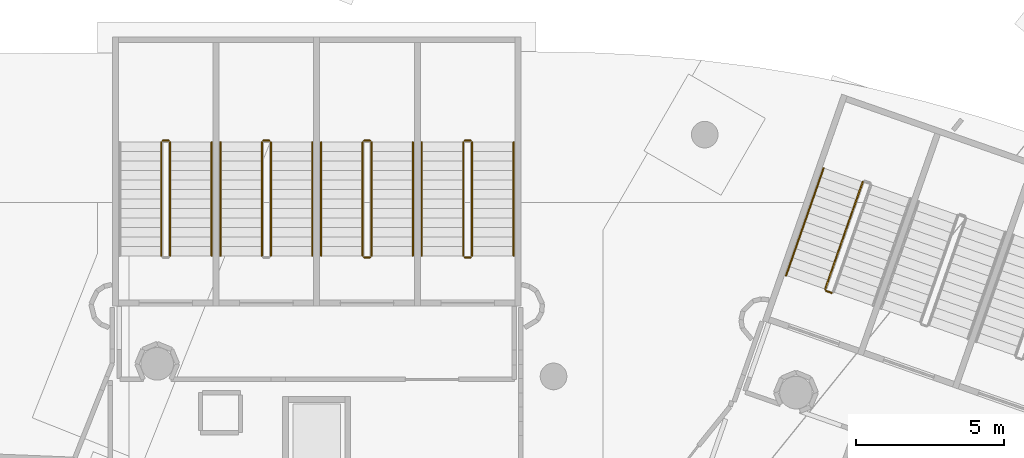
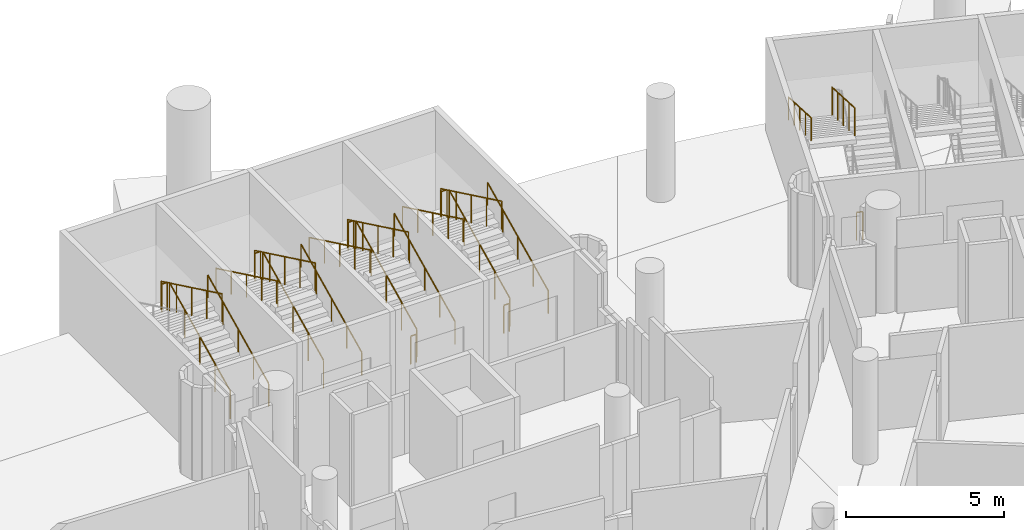
# One storey, part 139 of 142: 24 railings.
"""IFC4 building model written with IfcOpenShell, lengths in metres."""

from ifc_helpers import new_model, si_unit, direction, frame, origin, origin_2d, place, context, subcontext, project, spatial, circle, extrude, material, type_object, element, save


model = new_model("IFC4")

# Units and contexts
model_context = context("Model", 3, precision=1e-05, world=origin(), true_north=direction((0.0, 1.0)))
body_context = subcontext(model_context, "Body", "Model", "MODEL_VIEW")
ifc_project = project(units=[si_unit("LENGTHUNIT", "METRE"), si_unit("AREAUNIT", "SQUARE_METRE"), si_unit("VOLUMEUNIT", "CUBIC_METRE"), si_unit("PLANEANGLEUNIT", "RADIAN"), si_unit("MASSUNIT", "GRAM", prefix="KILO")], contexts=[model_context])

# Site, building, storey
site_placement = place(None, origin())
site = spatial("IfcSite", under=ifc_project, at=site_placement, CompositionType="ELEMENT")
building_placement = place(site_placement, origin())
building = spatial("IfcBuilding", under=site, at=building_placement, Name="Meseta Stadium", CompositionType="ELEMENT")
storey_placement = place(building_placement, frame((0.0, 0.0, -4.0)))
storey = spatial("IfcBuildingStorey", under=building, at=storey_placement, Name="B1", CompositionType="ELEMENT", Elevation=-4.0)

# Railings
ifc_material_1 = material(Name="Steel S355", Category="steel")
railing_type_1 = type_object("IfcRailingType", Name="Stair guard 1100", PredefinedType="GUARDRAIL", material=ifc_material_1)
railing_1_placement = place(storey_placement, frame((56.779052734375, 96.70068359375, 2.15380859375)))
element("IfcRailing", 1, at=railing_1_placement, inside=storey, type_object=railing_type_1, Name="ST32 B1 guard 3", PredefinedType="GUARDRAIL", context=body_context, shape_type="SweptSolid", body=[
    extrude(circle(Radius=0.02392578125, at=origin_2d()), frame((0.0, 0.0, 1.076171875), z_axis=(-0.29767201574, -0.85067155836, 0.433300439467), x_axis=(0.9438801606, -0.330288120323, 0.0)), (0.0, 0.0, 1.0), 4.2607421875),
    extrude(circle(Radius=0.02099609375, at=origin_2d()), origin(), (0.0, 0.0, 1.0), 1.052001953125),
    extrude(circle(Radius=0.02099609375, at=origin_2d()), frame((-0.317138671875, -0.90625, 0.46142578125)), (0.0, 0.0, 1.0), 1.052001953125),
    extrude(circle(Radius=0.02099609375, at=origin_2d()), frame((-0.63427734375, -1.812255859375, 0.923095703125)), (0.0, 0.0, 1.0), 1.052001953125),
    extrude(circle(Radius=0.02099609375, at=origin_2d()), frame((-0.951171875, -2.71826171875, 1.384765625)), (0.0, 0.0, 1.0), 1.052001953125),
    extrude(circle(Radius=0.02099609375, at=origin_2d()), frame((-1.268310546875, -3.62451171875, 1.84619140625)), (0.0, 0.0, 1.0), 1.052001953125),
])
railing_2_placement = place(storey_placement, frame((55.730224609375, 92.9462890625, 0.0)))
element("IfcRailing", 2, at=railing_2_placement, inside=storey, type_object=railing_type_1, Name="ST32 B1 guard 4", PredefinedType="GUARDRAIL", context=body_context, shape_type="SweptSolid", body=[
    extrude(circle(Radius=0.02392578125, at=origin_2d()), frame((0.0, 0.0, 1.076171875), z_axis=(-0.943686935281, 0.330839792317, 0.0), x_axis=(-0.330839792317, -0.943686935281, 0.0)), (0.0, 0.0, 1.0), 0.199951171875),
    extrude(circle(Radius=0.02099609375, at=origin_2d()), origin(), (0.0, 0.0, 1.0), 1.052001953125),
    extrude(circle(Radius=0.02099609375, at=origin_2d()), frame((-0.188720703125, 0.066162109375, 0.0)), (0.0, 0.0, 1.0), 1.052001953125),
])
railing_3_placement = place(storey_placement, frame((43.583251953125, 94.199951171875, 0.15380859375)))
element("IfcRailing", 3, at=railing_3_placement, inside=storey, type_object=railing_type_1, Name="ST33 B1 guard 1", PredefinedType="GUARDRAIL", context=body_context, shape_type="SweptSolid", body=[
    extrude(circle(Radius=0.02392578125, at=origin_2d()), frame((0.0, 0.0, 1.076171875), z_axis=(0.0, 0.901252854825, 0.433293539843), x_axis=(-1.0, 0.0, 0.0)), (0.0, 0.0, 1.0), 4.2607421875),
    extrude(circle(Radius=0.02099609375, at=origin_2d()), origin(), (0.0, 0.0, 1.0), 1.052001953125),
    extrude(circle(Radius=0.02099609375, at=origin_2d()), frame((0.0, 0.9599609375, 0.46142578125)), (0.0, 0.0, 1.0), 1.052001953125),
    extrude(circle(Radius=0.02099609375, at=origin_2d()), frame((0.0, 1.919921875, 0.923095703125)), (0.0, 0.0, 1.0), 1.052001953125),
    extrude(circle(Radius=0.02099609375, at=origin_2d()), frame((0.0, 2.880126953125, 1.384765625)), (0.0, 0.0, 1.0), 1.052001953125),
    extrude(circle(Radius=0.02099609375, at=origin_2d()), frame((0.0, 3.840087890625, 1.84619140625)), (0.0, 0.0, 1.0), 1.052001953125),
])
railing_4_placement = place(storey_placement, frame((43.533447265625, 98.090087890625, 2.0)))
element("IfcRailing", 4, at=railing_4_placement, inside=storey, type_object=railing_type_1, Name="ST33 B1 guard 2", PredefinedType="GUARDRAIL", context=body_context, shape_type="SweptSolid", body=[
    extrude(circle(Radius=0.02392578125, at=origin_2d()), frame((0.0, 0.0, 1.076171875), z_axis=(-1.0, 0.0, 0.0), x_axis=(0.0, -1.0, 0.0)), (0.0, 0.0, 1.0), 0.2001953125),
    extrude(circle(Radius=0.02099609375, at=origin_2d()), origin(), (0.0, 0.0, 1.0), 1.052001953125),
    extrude(circle(Radius=0.02099609375, at=origin_2d()), frame((-0.2001953125, 0.0, 0.0)), (0.0, 0.0, 1.0), 1.052001953125),
])
railing_5_placement = place(storey_placement, frame((43.283447265625, 98.0400390625, 2.15380859375)))
element("IfcRailing", 5, at=railing_5_placement, inside=storey, type_object=railing_type_1, Name="ST33 B1 guard 3", PredefinedType="GUARDRAIL", context=body_context, shape_type="SweptSolid", body=[
    extrude(circle(Radius=0.02392578125, at=origin_2d()), frame((0.0, 0.0, 1.076171875), z_axis=(0.0, -0.901252854825, 0.433293539843), x_axis=(1.0, 0.0, 0.0)), (0.0, 0.0, 1.0), 4.2607421875),
    extrude(circle(Radius=0.02099609375, at=origin_2d()), origin(), (0.0, 0.0, 1.0), 1.052001953125),
    extrude(circle(Radius=0.02099609375, at=origin_2d()), frame((0.0, -0.9599609375, 0.46142578125)), (0.0, 0.0, 1.0), 1.052001953125),
    extrude(circle(Radius=0.02099609375, at=origin_2d()), frame((0.0, -1.919921875, 0.923095703125)), (0.0, 0.0, 1.0), 1.052001953125),
    extrude(circle(Radius=0.02099609375, at=origin_2d()), frame((0.0, -2.880126953125, 1.384765625)), (0.0, 0.0, 1.0), 1.052001953125),
    extrude(circle(Radius=0.02099609375, at=origin_2d()), frame((0.0, -3.840087890625, 1.84619140625)), (0.0, 0.0, 1.0), 1.052001953125),
])
railing_6_placement = place(storey_placement, frame((43.533447265625, 94.14990234375, 0.0)))
element("IfcRailing", 6, at=railing_6_placement, inside=storey, type_object=railing_type_1, Name="ST33 B1 guard 4", PredefinedType="GUARDRAIL", context=body_context, shape_type="SweptSolid", body=[
    extrude(circle(Radius=0.02392578125, at=origin_2d()), frame((0.0, 0.0, 1.076171875), z_axis=(-1.0, 0.0, 0.0), x_axis=(0.0, -1.0, 0.0)), (0.0, 0.0, 1.0), 0.2001953125),
    extrude(circle(Radius=0.02099609375, at=origin_2d()), origin(), (0.0, 0.0, 1.0), 1.052001953125),
    extrude(circle(Radius=0.02099609375, at=origin_2d()), frame((-0.2001953125, 0.0, 0.0)), (0.0, 0.0, 1.0), 1.052001953125),
])
railing_7_placement = place(storey_placement, frame((40.183349609375, 94.199951171875, 0.15380859375)))
element("IfcRailing", 7, at=railing_7_placement, inside=storey, type_object=railing_type_1, Name="ST34 B1 guard 1", PredefinedType="GUARDRAIL", context=body_context, shape_type="SweptSolid", body=[
    extrude(circle(Radius=0.02392578125, at=origin_2d()), frame((0.0, 0.0, 1.076171875), z_axis=(0.0, 0.901252854825, 0.433293539843), x_axis=(-1.0, 0.0, 0.0)), (0.0, 0.0, 1.0), 4.2607421875),
    extrude(circle(Radius=0.02099609375, at=origin_2d()), origin(), (0.0, 0.0, 1.0), 1.052001953125),
    extrude(circle(Radius=0.02099609375, at=origin_2d()), frame((0.0, 0.9599609375, 0.46142578125)), (0.0, 0.0, 1.0), 1.052001953125),
    extrude(circle(Radius=0.02099609375, at=origin_2d()), frame((0.0, 1.919921875, 0.923095703125)), (0.0, 0.0, 1.0), 1.052001953125),
    extrude(circle(Radius=0.02099609375, at=origin_2d()), frame((0.0, 2.880126953125, 1.384765625)), (0.0, 0.0, 1.0), 1.052001953125),
    extrude(circle(Radius=0.02099609375, at=origin_2d()), frame((0.0, 3.840087890625, 1.84619140625)), (0.0, 0.0, 1.0), 1.052001953125),
])
railing_8_placement = place(storey_placement, frame((40.13330078125, 98.090087890625, 2.0)))
element("IfcRailing", 8, at=railing_8_placement, inside=storey, type_object=railing_type_1, Name="ST34 B1 guard 2", PredefinedType="GUARDRAIL", context=body_context, shape_type="SweptSolid", body=[
    extrude(circle(Radius=0.02392578125, at=origin_2d()), frame((0.0, 0.0, 1.076171875), z_axis=(-1.0, 0.0, 0.0), x_axis=(0.0, -1.0, 0.0)), (0.0, 0.0, 1.0), 0.199951171875),
    extrude(circle(Radius=0.02099609375, at=origin_2d()), origin(), (0.0, 0.0, 1.0), 1.052001953125),
    extrude(circle(Radius=0.02099609375, at=origin_2d()), frame((-0.199951171875, 0.0, 0.0)), (0.0, 0.0, 1.0), 1.052001953125),
])
railing_9_placement = place(storey_placement, frame((39.88330078125, 98.0400390625, 2.15380859375)))
element("IfcRailing", 9, at=railing_9_placement, inside=storey, type_object=railing_type_1, Name="ST34 B1 guard 3", PredefinedType="GUARDRAIL", context=body_context, shape_type="SweptSolid", body=[
    extrude(circle(Radius=0.02392578125, at=origin_2d()), frame((0.0, 0.0, 1.076171875), z_axis=(0.0, -0.901252854825, 0.433293539843), x_axis=(1.0, 0.0, 0.0)), (0.0, 0.0, 1.0), 4.2607421875),
    extrude(circle(Radius=0.02099609375, at=origin_2d()), origin(), (0.0, 0.0, 1.0), 1.052001953125),
    extrude(circle(Radius=0.02099609375, at=origin_2d()), frame((0.0, -0.9599609375, 0.46142578125)), (0.0, 0.0, 1.0), 1.052001953125),
    extrude(circle(Radius=0.02099609375, at=origin_2d()), frame((0.0, -1.919921875, 0.923095703125)), (0.0, 0.0, 1.0), 1.052001953125),
    extrude(circle(Radius=0.02099609375, at=origin_2d()), frame((0.0, -2.880126953125, 1.384765625)), (0.0, 0.0, 1.0), 1.052001953125),
    extrude(circle(Radius=0.02099609375, at=origin_2d()), frame((0.0, -3.840087890625, 1.84619140625)), (0.0, 0.0, 1.0), 1.052001953125),
])
railing_10_placement = place(storey_placement, frame((40.13330078125, 94.14990234375, 0.0)))
element("IfcRailing", 10, at=railing_10_placement, inside=storey, type_object=railing_type_1, Name="ST34 B1 guard 4", PredefinedType="GUARDRAIL", context=body_context, shape_type="SweptSolid", body=[
    extrude(circle(Radius=0.02392578125, at=origin_2d()), frame((0.0, 0.0, 1.076171875), z_axis=(-1.0, 0.0, 0.0), x_axis=(0.0, -1.0, 0.0)), (0.0, 0.0, 1.0), 0.199951171875),
    extrude(circle(Radius=0.02099609375, at=origin_2d()), origin(), (0.0, 0.0, 1.0), 1.052001953125),
    extrude(circle(Radius=0.02099609375, at=origin_2d()), frame((-0.199951171875, 0.0, 0.0)), (0.0, 0.0, 1.0), 1.052001953125),
])
railing_11_placement = place(storey_placement, frame((36.783447265625, 94.199951171875, 0.15380859375)))
element("IfcRailing", 11, at=railing_11_placement, inside=storey, type_object=railing_type_1, Name="ST35 B1 guard 1", PredefinedType="GUARDRAIL", context=body_context, shape_type="SweptSolid", body=[
    extrude(circle(Radius=0.02392578125, at=origin_2d()), frame((0.0, 0.0, 1.076171875), z_axis=(0.0, 0.901252854825, 0.433293539843), x_axis=(-1.0, 0.0, 0.0)), (0.0, 0.0, 1.0), 4.2607421875),
    extrude(circle(Radius=0.02099609375, at=origin_2d()), origin(), (0.0, 0.0, 1.0), 1.052001953125),
    extrude(circle(Radius=0.02099609375, at=origin_2d()), frame((0.0, 0.9599609375, 0.46142578125)), (0.0, 0.0, 1.0), 1.052001953125),
    extrude(circle(Radius=0.02099609375, at=origin_2d()), frame((0.0, 1.919921875, 0.923095703125)), (0.0, 0.0, 1.0), 1.052001953125),
    extrude(circle(Radius=0.02099609375, at=origin_2d()), frame((0.0, 2.880126953125, 1.384765625)), (0.0, 0.0, 1.0), 1.052001953125),
    extrude(circle(Radius=0.02099609375, at=origin_2d()), frame((0.0, 3.840087890625, 1.84619140625)), (0.0, 0.0, 1.0), 1.052001953125),
])
railing_12_placement = place(storey_placement, frame((36.7333984375, 98.090087890625, 2.0)))
element("IfcRailing", 12, at=railing_12_placement, inside=storey, type_object=railing_type_1, Name="ST35 B1 guard 2", PredefinedType="GUARDRAIL", context=body_context, shape_type="SweptSolid", body=[
    extrude(circle(Radius=0.02392578125, at=origin_2d()), frame((0.0, 0.0, 1.076171875), z_axis=(-1.0, 0.0, 0.0), x_axis=(0.0, -1.0, 0.0)), (0.0, 0.0, 1.0), 0.199951171875),
    extrude(circle(Radius=0.02099609375, at=origin_2d()), origin(), (0.0, 0.0, 1.0), 1.052001953125),
    extrude(circle(Radius=0.02099609375, at=origin_2d()), frame((-0.199951171875, 0.0, 0.0)), (0.0, 0.0, 1.0), 1.052001953125),
])
railing_13_placement = place(storey_placement, frame((36.4833984375, 98.0400390625, 2.15380859375)))
element("IfcRailing", 13, at=railing_13_placement, inside=storey, type_object=railing_type_1, Name="ST35 B1 guard 3", PredefinedType="GUARDRAIL", context=body_context, shape_type="SweptSolid", body=[
    extrude(circle(Radius=0.02392578125, at=origin_2d()), frame((0.0, 0.0, 1.076171875), z_axis=(0.0, -0.901252854825, 0.433293539843), x_axis=(1.0, 0.0, 0.0)), (0.0, 0.0, 1.0), 4.2607421875),
    extrude(circle(Radius=0.02099609375, at=origin_2d()), origin(), (0.0, 0.0, 1.0), 1.052001953125),
    extrude(circle(Radius=0.02099609375, at=origin_2d()), frame((0.0, -0.9599609375, 0.46142578125)), (0.0, 0.0, 1.0), 1.052001953125),
    extrude(circle(Radius=0.02099609375, at=origin_2d()), frame((0.0, -1.919921875, 0.923095703125)), (0.0, 0.0, 1.0), 1.052001953125),
    extrude(circle(Radius=0.02099609375, at=origin_2d()), frame((0.0, -2.880126953125, 1.384765625)), (0.0, 0.0, 1.0), 1.052001953125),
    extrude(circle(Radius=0.02099609375, at=origin_2d()), frame((0.0, -3.840087890625, 1.84619140625)), (0.0, 0.0, 1.0), 1.052001953125),
])
railing_14_placement = place(storey_placement, frame((33.38330078125, 94.199951171875, 0.15380859375)))
element("IfcRailing", 14, at=railing_14_placement, inside=storey, type_object=railing_type_1, Name="ST36 B1 guard 1", PredefinedType="GUARDRAIL", context=body_context, shape_type="SweptSolid", body=[
    extrude(circle(Radius=0.02392578125, at=origin_2d()), frame((0.0, 0.0, 1.076171875), z_axis=(0.0, 0.901252854825, 0.433293539843), x_axis=(-1.0, 0.0, 0.0)), (0.0, 0.0, 1.0), 4.2607421875),
    extrude(circle(Radius=0.02099609375, at=origin_2d()), origin(), (0.0, 0.0, 1.0), 1.052001953125),
    extrude(circle(Radius=0.02099609375, at=origin_2d()), frame((0.0, 0.9599609375, 0.46142578125)), (0.0, 0.0, 1.0), 1.052001953125),
    extrude(circle(Radius=0.02099609375, at=origin_2d()), frame((0.0, 1.919921875, 0.923095703125)), (0.0, 0.0, 1.0), 1.052001953125),
    extrude(circle(Radius=0.02099609375, at=origin_2d()), frame((0.0, 2.880126953125, 1.384765625)), (0.0, 0.0, 1.0), 1.052001953125),
    extrude(circle(Radius=0.02099609375, at=origin_2d()), frame((0.0, 3.840087890625, 1.84619140625)), (0.0, 0.0, 1.0), 1.052001953125),
])
railing_15_placement = place(storey_placement, frame((33.333251953125, 98.090087890625, 2.0)))
element("IfcRailing", 15, at=railing_15_placement, inside=storey, type_object=railing_type_1, Name="ST36 B1 guard 2", PredefinedType="GUARDRAIL", context=body_context, shape_type="SweptSolid", body=[
    extrude(circle(Radius=0.02392578125, at=origin_2d()), frame((0.0, 0.0, 1.076171875), z_axis=(-1.0, 0.0, 0.0), x_axis=(0.0, -1.0, 0.0)), (0.0, 0.0, 1.0), 0.199951171875),
    extrude(circle(Radius=0.02099609375, at=origin_2d()), origin(), (0.0, 0.0, 1.0), 1.052001953125),
    extrude(circle(Radius=0.02099609375, at=origin_2d()), frame((-0.199951171875, 0.0, 0.0)), (0.0, 0.0, 1.0), 1.052001953125),
])
railing_16_placement = place(storey_placement, frame((33.083251953125, 98.0400390625, 2.15380859375)))
element("IfcRailing", 16, at=railing_16_placement, inside=storey, type_object=railing_type_1, Name="ST36 B1 guard 3", PredefinedType="GUARDRAIL", context=body_context, shape_type="SweptSolid", body=[
    extrude(circle(Radius=0.02392578125, at=origin_2d()), frame((0.0, 0.0, 1.076171875), z_axis=(0.0, -0.901252854825, 0.433293539843), x_axis=(1.0, 0.0, 0.0)), (0.0, 0.0, 1.0), 4.2607421875),
    extrude(circle(Radius=0.02099609375, at=origin_2d()), origin(), (0.0, 0.0, 1.0), 1.052001953125),
    extrude(circle(Radius=0.02099609375, at=origin_2d()), frame((0.0, -0.9599609375, 0.46142578125)), (0.0, 0.0, 1.0), 1.052001953125),
    extrude(circle(Radius=0.02099609375, at=origin_2d()), frame((0.0, -1.919921875, 0.923095703125)), (0.0, 0.0, 1.0), 1.052001953125),
    extrude(circle(Radius=0.02099609375, at=origin_2d()), frame((0.0, -2.880126953125, 1.384765625)), (0.0, 0.0, 1.0), 1.052001953125),
    extrude(circle(Radius=0.02099609375, at=origin_2d()), frame((0.0, -3.840087890625, 1.84619140625)), (0.0, 0.0, 1.0), 1.052001953125),
])
ifc_material_2 = material(Name="Steel S355", Category="steel")
railing_type_2 = type_object("IfcRailingType", Name="Stair handrail 900", PredefinedType="HANDRAIL", material=ifc_material_2)
railing_17_placement = place(storey_placement, frame((55.457763671875, 97.162841796875, 2.15380859375)))
element("IfcRailing", 17, at=railing_17_placement, inside=storey, type_object=railing_type_2, Name="ST32 B1 handrail 2", PredefinedType="HANDRAIL", context=body_context, shape_type="SweptSolid", body=[
    extrude(circle(Radius=0.02392578125, at=origin_2d()), frame((0.0, 0.0, 0.8759765625), z_axis=(-0.29767201574, -0.85067155836, 0.433300439467), x_axis=(0.9438801606, -0.330288120323, 0.0)), (0.0, 0.0, 1.0), 4.2607421875),
    extrude(circle(Radius=0.02099609375, at=origin_2d()), origin(), (0.0, 0.0, 1.0), 0.851806640625),
    extrude(circle(Radius=0.02099609375, at=origin_2d()), frame((-0.317138671875, -0.90625, 0.46142578125)), (0.0, 0.0, 1.0), 0.851806640625),
    extrude(circle(Radius=0.02099609375, at=origin_2d()), frame((-0.63427734375, -1.812255859375, 0.923095703125)), (0.0, 0.0, 1.0), 0.851806640625),
    extrude(circle(Radius=0.02099609375, at=origin_2d()), frame((-0.951171875, -2.71826171875, 1.384765625)), (0.0, 0.0, 1.0), 0.851806640625),
    extrude(circle(Radius=0.02099609375, at=origin_2d()), frame((-1.268310546875, -3.62451171875, 1.84619140625)), (0.0, 0.0, 1.0), 0.851806640625),
])
railing_18_placement = place(storey_placement, frame((44.9833984375, 94.199951171875, 0.15380859375)))
element("IfcRailing", 18, at=railing_18_placement, inside=storey, type_object=railing_type_2, Name="ST33 B1 handrail 1", PredefinedType="HANDRAIL", context=body_context, shape_type="SweptSolid", body=[
    extrude(circle(Radius=0.02392578125, at=origin_2d()), frame((0.0, 0.0, 0.8759765625), z_axis=(0.0, 0.901252854825, 0.433293539843), x_axis=(-1.0, 0.0, 0.0)), (0.0, 0.0, 1.0), 4.2607421875),
    extrude(circle(Radius=0.02099609375, at=origin_2d()), origin(), (0.0, 0.0, 1.0), 0.851806640625),
    extrude(circle(Radius=0.02099609375, at=origin_2d()), frame((0.0, 0.9599609375, 0.46142578125)), (0.0, 0.0, 1.0), 0.851806640625),
    extrude(circle(Radius=0.02099609375, at=origin_2d()), frame((0.0, 1.919921875, 0.923095703125)), (0.0, 0.0, 1.0), 0.851806640625),
    extrude(circle(Radius=0.02099609375, at=origin_2d()), frame((0.0, 2.880126953125, 1.384765625)), (0.0, 0.0, 1.0), 0.851806640625),
    extrude(circle(Radius=0.02099609375, at=origin_2d()), frame((0.0, 3.840087890625, 1.84619140625)), (0.0, 0.0, 1.0), 0.851806640625),
])
railing_19_placement = place(storey_placement, frame((41.88330078125, 98.0400390625, 2.15380859375)))
element("IfcRailing", 19, at=railing_19_placement, inside=storey, type_object=railing_type_2, Name="ST33 B1 handrail 2", PredefinedType="HANDRAIL", context=body_context, shape_type="SweptSolid", body=[
    extrude(circle(Radius=0.02392578125, at=origin_2d()), frame((0.0, 0.0, 0.8759765625), z_axis=(0.0, -0.901252854825, 0.433293539843), x_axis=(1.0, 0.0, 0.0)), (0.0, 0.0, 1.0), 4.2607421875),
    extrude(circle(Radius=0.02099609375, at=origin_2d()), origin(), (0.0, 0.0, 1.0), 0.851806640625),
    extrude(circle(Radius=0.02099609375, at=origin_2d()), frame((0.0, -0.9599609375, 0.46142578125)), (0.0, 0.0, 1.0), 0.851806640625),
    extrude(circle(Radius=0.02099609375, at=origin_2d()), frame((0.0, -1.919921875, 0.923095703125)), (0.0, 0.0, 1.0), 0.851806640625),
    extrude(circle(Radius=0.02099609375, at=origin_2d()), frame((0.0, -2.880126953125, 1.384765625)), (0.0, 0.0, 1.0), 0.851806640625),
    extrude(circle(Radius=0.02099609375, at=origin_2d()), frame((0.0, -3.840087890625, 1.84619140625)), (0.0, 0.0, 1.0), 0.851806640625),
])
railing_20_placement = place(storey_placement, frame((41.583251953125, 94.199951171875, 0.15380859375)))
element("IfcRailing", 20, at=railing_20_placement, inside=storey, type_object=railing_type_2, Name="ST34 B1 handrail 1", PredefinedType="HANDRAIL", context=body_context, shape_type="SweptSolid", body=[
    extrude(circle(Radius=0.02392578125, at=origin_2d()), frame((0.0, 0.0, 0.8759765625), z_axis=(0.0, 0.901252854825, 0.433293539843), x_axis=(-1.0, 0.0, 0.0)), (0.0, 0.0, 1.0), 4.2607421875),
    extrude(circle(Radius=0.02099609375, at=origin_2d()), origin(), (0.0, 0.0, 1.0), 0.851806640625),
    extrude(circle(Radius=0.02099609375, at=origin_2d()), frame((0.0, 0.9599609375, 0.46142578125)), (0.0, 0.0, 1.0), 0.851806640625),
    extrude(circle(Radius=0.02099609375, at=origin_2d()), frame((0.0, 1.919921875, 0.923095703125)), (0.0, 0.0, 1.0), 0.851806640625),
    extrude(circle(Radius=0.02099609375, at=origin_2d()), frame((0.0, 2.880126953125, 1.384765625)), (0.0, 0.0, 1.0), 0.851806640625),
    extrude(circle(Radius=0.02099609375, at=origin_2d()), frame((0.0, 3.840087890625, 1.84619140625)), (0.0, 0.0, 1.0), 0.851806640625),
])
railing_21_placement = place(storey_placement, frame((38.4833984375, 98.0400390625, 2.15380859375)))
element("IfcRailing", 21, at=railing_21_placement, inside=storey, type_object=railing_type_2, Name="ST34 B1 handrail 2", PredefinedType="HANDRAIL", context=body_context, shape_type="SweptSolid", body=[
    extrude(circle(Radius=0.02392578125, at=origin_2d()), frame((0.0, 0.0, 0.8759765625), z_axis=(0.0, -0.901252854825, 0.433293539843), x_axis=(1.0, 0.0, 0.0)), (0.0, 0.0, 1.0), 4.2607421875),
    extrude(circle(Radius=0.02099609375, at=origin_2d()), origin(), (0.0, 0.0, 1.0), 0.851806640625),
    extrude(circle(Radius=0.02099609375, at=origin_2d()), frame((0.0, -0.9599609375, 0.46142578125)), (0.0, 0.0, 1.0), 0.851806640625),
    extrude(circle(Radius=0.02099609375, at=origin_2d()), frame((0.0, -1.919921875, 0.923095703125)), (0.0, 0.0, 1.0), 0.851806640625),
    extrude(circle(Radius=0.02099609375, at=origin_2d()), frame((0.0, -2.880126953125, 1.384765625)), (0.0, 0.0, 1.0), 0.851806640625),
    extrude(circle(Radius=0.02099609375, at=origin_2d()), frame((0.0, -3.840087890625, 1.84619140625)), (0.0, 0.0, 1.0), 0.851806640625),
])
railing_22_placement = place(storey_placement, frame((38.183349609375, 94.199951171875, 0.15380859375)))
element("IfcRailing", 22, at=railing_22_placement, inside=storey, type_object=railing_type_2, Name="ST35 B1 handrail 1", PredefinedType="HANDRAIL", context=body_context, shape_type="SweptSolid", body=[
    extrude(circle(Radius=0.02392578125, at=origin_2d()), frame((0.0, 0.0, 0.8759765625), z_axis=(0.0, 0.901252854825, 0.433293539843), x_axis=(-1.0, 0.0, 0.0)), (0.0, 0.0, 1.0), 4.2607421875),
    extrude(circle(Radius=0.02099609375, at=origin_2d()), origin(), (0.0, 0.0, 1.0), 0.851806640625),
    extrude(circle(Radius=0.02099609375, at=origin_2d()), frame((0.0, 0.9599609375, 0.46142578125)), (0.0, 0.0, 1.0), 0.851806640625),
    extrude(circle(Radius=0.02099609375, at=origin_2d()), frame((0.0, 1.919921875, 0.923095703125)), (0.0, 0.0, 1.0), 0.851806640625),
    extrude(circle(Radius=0.02099609375, at=origin_2d()), frame((0.0, 2.880126953125, 1.384765625)), (0.0, 0.0, 1.0), 0.851806640625),
    extrude(circle(Radius=0.02099609375, at=origin_2d()), frame((0.0, 3.840087890625, 1.84619140625)), (0.0, 0.0, 1.0), 0.851806640625),
])
railing_23_placement = place(storey_placement, frame((35.083251953125, 98.0400390625, 2.15380859375)))
element("IfcRailing", 23, at=railing_23_placement, inside=storey, type_object=railing_type_2, Name="ST35 B1 handrail 2", PredefinedType="HANDRAIL", context=body_context, shape_type="SweptSolid", body=[
    extrude(circle(Radius=0.02392578125, at=origin_2d()), frame((0.0, 0.0, 0.8759765625), z_axis=(0.0, -0.901252854825, 0.433293539843), x_axis=(1.0, 0.0, 0.0)), (0.0, 0.0, 1.0), 4.2607421875),
    extrude(circle(Radius=0.02099609375, at=origin_2d()), origin(), (0.0, 0.0, 1.0), 0.851806640625),
    extrude(circle(Radius=0.02099609375, at=origin_2d()), frame((0.0, -0.9599609375, 0.46142578125)), (0.0, 0.0, 1.0), 0.851806640625),
    extrude(circle(Radius=0.02099609375, at=origin_2d()), frame((0.0, -1.919921875, 0.923095703125)), (0.0, 0.0, 1.0), 0.851806640625),
    extrude(circle(Radius=0.02099609375, at=origin_2d()), frame((0.0, -2.880126953125, 1.384765625)), (0.0, 0.0, 1.0), 0.851806640625),
    extrude(circle(Radius=0.02099609375, at=origin_2d()), frame((0.0, -3.840087890625, 1.84619140625)), (0.0, 0.0, 1.0), 0.851806640625),
])
railing_24_placement = place(storey_placement, frame((34.783447265625, 94.199951171875, 0.15380859375)))
element("IfcRailing", 24, at=railing_24_placement, inside=storey, type_object=railing_type_2, Name="ST36 B1 handrail 1", PredefinedType="HANDRAIL", context=body_context, shape_type="SweptSolid", body=[
    extrude(circle(Radius=0.02392578125, at=origin_2d()), frame((0.0, 0.0, 0.8759765625), z_axis=(0.0, 0.901252854825, 0.433293539843), x_axis=(-1.0, 0.0, 0.0)), (0.0, 0.0, 1.0), 4.2607421875),
    extrude(circle(Radius=0.02099609375, at=origin_2d()), origin(), (0.0, 0.0, 1.0), 0.851806640625),
    extrude(circle(Radius=0.02099609375, at=origin_2d()), frame((0.0, 0.9599609375, 0.46142578125)), (0.0, 0.0, 1.0), 0.851806640625),
    extrude(circle(Radius=0.02099609375, at=origin_2d()), frame((0.0, 1.919921875, 0.923095703125)), (0.0, 0.0, 1.0), 0.851806640625),
    extrude(circle(Radius=0.02099609375, at=origin_2d()), frame((0.0, 2.880126953125, 1.384765625)), (0.0, 0.0, 1.0), 0.851806640625),
    extrude(circle(Radius=0.02099609375, at=origin_2d()), frame((0.0, 3.840087890625, 1.84619140625)), (0.0, 0.0, 1.0), 0.851806640625),
])

save(model, "model.ifc")
